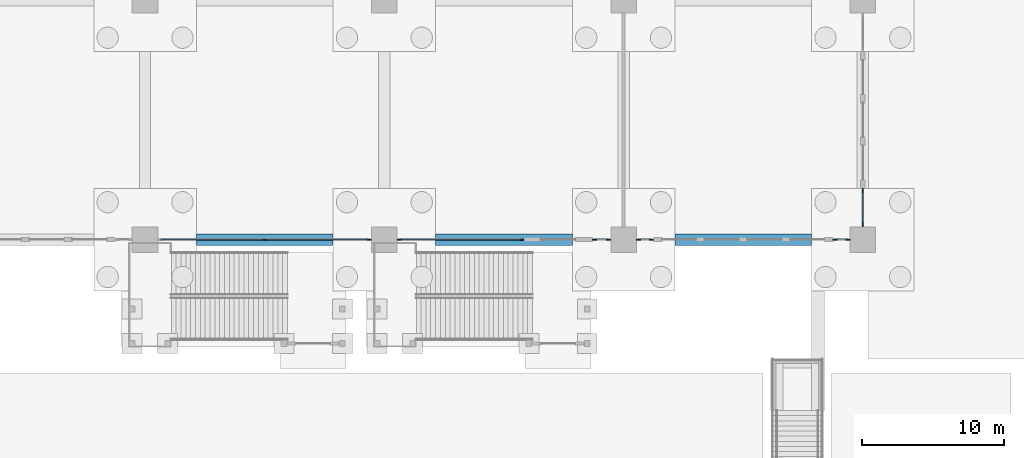
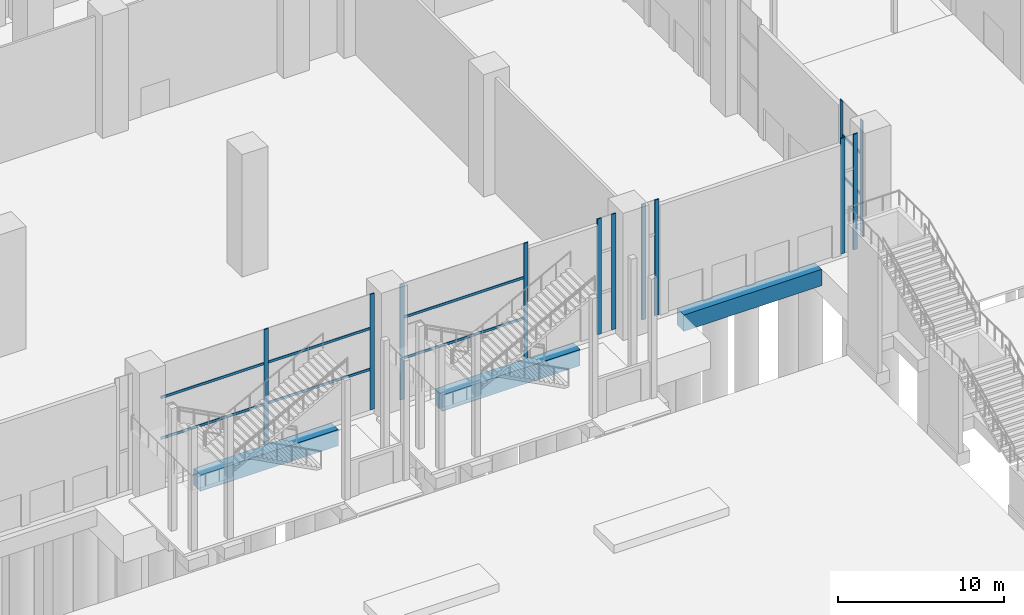
# One storey, part 15 of 72: 20 members, 3 beams, 6 elements without a shape of their own.
"""IFC4 building model written with IfcOpenShell, lengths in metres."""

from ifc_helpers import new_model, si_unit, direction, frame, origin, origin_2d, place, context, subcontext, project, spatial, rectangle, extrude, material, material_profile, profile_set, type_object, element, aggregate, save


model = new_model("IFC4")

# Units and contexts
model_context = context("Model", 3, precision=1e-05, world=origin(), true_north=direction((0.0, 1.0)))
body_context = subcontext(model_context, "Body", "Model", "MODEL_VIEW")
ifc_project = project(units=[si_unit("LENGTHUNIT", "METRE"), si_unit("AREAUNIT", "SQUARE_METRE"), si_unit("VOLUMEUNIT", "CUBIC_METRE"), si_unit("PLANEANGLEUNIT", "RADIAN"), si_unit("MASSUNIT", "GRAM", prefix="KILO")], contexts=[model_context])

# Site, building, storey
site_placement = place(None, origin())
site = spatial("IfcSite", under=ifc_project, at=site_placement, CompositionType="ELEMENT")
building_placement = place(site_placement, origin())
building = spatial("IfcBuilding", under=site, at=building_placement, Name="Candeia Pilgrim Tower and Theatre", CompositionType="ELEMENT")
storey_placement = place(building_placement, origin())
storey = spatial("IfcBuildingStorey", under=building, at=storey_placement, Name="L00", CompositionType="ELEMENT", Elevation=0.0)

# Curtain wall, members
ifc_material_1 = material(Name="Aluminium framed podium glazing", Category="aluminium")
curtain_wall_type = type_object("IfcCurtainWallType", Name="CW-P curtain wall", PredefinedType="NOTDEFINED", material=ifc_material_1)
curtain_wall_1_placement = place(storey_placement, origin())
curtain_wall_1 = element("IfcCurtainWall", 1, at=curtain_wall_1_placement, inside=storey, type_object=curtain_wall_type, Name="Curtain wall CW-P L00.261", PredefinedType="NOTDEFINED")
ifc_material_2 = material(Name="Anodised aluminium", Category="aluminium")
ifc_material_profile_1 = material_profile(ifc_material_2, rectangle(XDim=0.080078125, YDim=0.300048828125, at=origin_2d()))
ifc_profile_set_1 = profile_set([ifc_material_profile_1], Name="Anodised aluminium")
member_type_1 = type_object("IfcMemberType", Name="CW-P mullion 80x300", PredefinedType="MULLION", material=ifc_profile_set_1)
member_1_placement = place(storey_placement, frame((159.60009765625, 67.85009765625, 0.0), z_axis=(0.0, 0.0, 1.0), x_axis=(1.0, 0.0, 0.0)))
member_1 = element("IfcMember", 2, at=member_1_placement, type_object=member_type_1, Name="CW-P mullion 1", PredefinedType="MULLION", context=body_context, shape_type="SweptSolid", body=[
    extrude(rectangle(XDim=0.080078125, YDim=0.300048828125, at=origin_2d()), origin(), (0.0, 0.0, 1.0), 8.5),
])
member_2_placement = place(storey_placement, frame((159.60009765625, 65.449951171875, 0.0), z_axis=(0.0, 0.0, 1.0), x_axis=(1.0, 0.0, 0.0)))
member_2 = element("IfcMember", 3, at=member_2_placement, type_object=member_type_1, Name="CW-P mullion 2", PredefinedType="MULLION", context=body_context, shape_type="SweptSolid", body=[
    extrude(rectangle(XDim=0.080078125, YDim=0.300048828125, at=origin_2d()), origin(), (0.0, 0.0, 1.0), 8.5),
])

curtain_wall_2_placement = place(storey_placement, origin())
curtain_wall_2 = element("IfcCurtainWall", 4, at=curtain_wall_2_placement, inside=storey, type_object=curtain_wall_type, Name="Curtain wall CW-P L00.300", PredefinedType="NOTDEFINED")
member_3_placement = place(storey_placement, frame((158.550048828125, 64.39990234375, 0.0), z_axis=(0.0, 0.0, 1.0), x_axis=(0.0, -1.0, 0.0)))
member_3 = element("IfcMember", 5, at=member_3_placement, type_object=member_type_1, Name="CW-P mullion 1", PredefinedType="MULLION", context=body_context, shape_type="SweptSolid", body=[
    extrude(rectangle(XDim=0.080078125, YDim=0.300048828125, at=origin_2d()), origin(), (0.0, 0.0, 1.0), 8.5),
])
member_4_placement = place(storey_placement, frame((157.64990234375, 64.39990234375, 0.0), z_axis=(0.0, 0.0, 1.0), x_axis=(0.0, -1.0, 0.0)))
member_4 = element("IfcMember", 6, at=member_4_placement, type_object=member_type_1, Name="CW-P mullion 2", PredefinedType="MULLION", context=body_context, shape_type="SweptSolid", body=[
    extrude(rectangle(XDim=0.080078125, YDim=0.300048828125, at=origin_2d()), origin(), (0.0, 0.0, 1.0), 8.5),
])
aggregate(curtain_wall_2, [member_3, member_4])

curtain_wall_3_placement = place(storey_placement, origin())
curtain_wall_3 = element("IfcCurtainWall", 7, at=curtain_wall_3_placement, inside=storey, type_object=curtain_wall_type, Name="Curtain wall CW-P L00.301", PredefinedType="NOTDEFINED")
member_5_placement = place(storey_placement, frame((144.75, 64.39990234375, 0.0), z_axis=(0.0, 0.0, 1.0), x_axis=(0.0, -1.0, 0.0)))
member_5 = element("IfcMember", 8, at=member_5_placement, type_object=member_type_1, Name="CW-P mullion 1", PredefinedType="MULLION", context=body_context, shape_type="SweptSolid", body=[
    extrude(rectangle(XDim=0.080078125, YDim=0.300048828125, at=origin_2d()), origin(), (0.0, 0.0, 1.0), 8.5),
])
member_6_placement = place(storey_placement, frame((143.85009765625, 64.39990234375, 0.0), z_axis=(0.0, 0.0, 1.0), x_axis=(0.0, -1.0, 0.0)))
member_6 = element("IfcMember", 9, at=member_6_placement, type_object=member_type_1, Name="CW-P mullion 2", PredefinedType="MULLION", context=body_context, shape_type="SweptSolid", body=[
    extrude(rectangle(XDim=0.080078125, YDim=0.300048828125, at=origin_2d()), origin(), (0.0, 0.0, 1.0), 8.5),
])
aggregate(curtain_wall_3, [member_5, member_6])

curtain_wall_4_placement = place(storey_placement, origin())
curtain_wall_4 = element("IfcCurtainWall", 10, at=curtain_wall_4_placement, inside=storey, type_object=curtain_wall_type, Name="Curtain wall CW-P L00.310", PredefinedType="NOTDEFINED")
member_7_placement = place(storey_placement, frame((141.75, 64.39990234375, 0.0), z_axis=(0.0, 0.0, 1.0), x_axis=(0.0, -1.0, 0.0)))
member_7 = element("IfcMember", 11, at=member_7_placement, type_object=member_type_1, Name="CW-P mullion 1", PredefinedType="MULLION", context=body_context, shape_type="SweptSolid", body=[
    extrude(rectangle(XDim=0.080078125, YDim=0.300048828125, at=origin_2d()), origin(), (0.0, 0.0, 1.0), 8.5),
])
member_8_placement = place(storey_placement, frame((140.75, 64.39990234375, 0.0), z_axis=(0.0, 0.0, 1.0), x_axis=(0.0, -1.0, 0.0)))
member_8 = element("IfcMember", 12, at=member_8_placement, type_object=member_type_1, Name="CW-P mullion 2", PredefinedType="MULLION", context=body_context, shape_type="SweptSolid", body=[
    extrude(rectangle(XDim=0.080078125, YDim=0.300048828125, at=origin_2d()), origin(), (0.0, 0.0, 1.0), 8.5),
])
aggregate(curtain_wall_4, [member_7, member_8])

curtain_wall_5_placement = place(storey_placement, origin())
curtain_wall_5 = element("IfcCurtainWall", 13, at=curtain_wall_5_placement, inside=storey, type_object=curtain_wall_type, Name="Curtain wall CW-P L00.311", PredefinedType="NOTDEFINED")
member_9_placement = place(storey_placement, frame((135.64990234375, 64.39990234375, 0.0), z_axis=(0.0, 0.0, 1.0), x_axis=(0.0, -1.0, 0.0)))
member_9 = element("IfcMember", 14, at=member_9_placement, type_object=member_type_1, Name="CW-P mullion 1", PredefinedType="MULLION", context=body_context, shape_type="SweptSolid", body=[
    extrude(rectangle(XDim=0.080078125, YDim=0.300048828125, at=origin_2d()), origin(), (0.0, 0.0, 1.0), 8.5),
])
member_10_placement = place(storey_placement, frame((127.050048828125, 64.39990234375, 0.0), z_axis=(0.0, 0.0, 1.0), x_axis=(0.0, -1.0, 0.0)))
member_10 = element("IfcMember", 15, at=member_10_placement, type_object=member_type_1, Name="CW-P mullion 2", PredefinedType="MULLION", context=body_context, shape_type="SweptSolid", body=[
    extrude(rectangle(XDim=0.080078125, YDim=0.300048828125, at=origin_2d()), origin(), (0.0, 0.0, 1.0), 8.5),
])

curtain_wall_6_placement = place(storey_placement, origin())
curtain_wall_6 = element("IfcCurtainWall", 16, at=curtain_wall_6_placement, inside=storey, type_object=curtain_wall_type, Name="Curtain wall CW-P L00.320", PredefinedType="NOTDEFINED")
member_11_placement = place(storey_placement, frame((124.949951171875, 64.39990234375, 0.0), z_axis=(0.0, 0.0, 1.0), x_axis=(0.0, -1.0, 0.0)))
member_11 = element("IfcMember", 17, at=member_11_placement, type_object=member_type_1, Name="CW-P mullion 1", PredefinedType="MULLION", context=body_context, shape_type="SweptSolid", body=[
    extrude(rectangle(XDim=0.080078125, YDim=0.300048828125, at=origin_2d()), origin(), (0.0, 0.0, 1.0), 8.5),
])
member_12_placement = place(storey_placement, frame((117.60009765625, 64.39990234375, 0.0), z_axis=(0.0, 0.0, 1.0), x_axis=(0.0, -1.0, 0.0)))
member_12 = element("IfcMember", 18, at=member_12_placement, type_object=member_type_1, Name="CW-P mullion 2", PredefinedType="MULLION", context=body_context, shape_type="SweptSolid", body=[
    extrude(rectangle(XDim=0.080078125, YDim=0.300048828125, at=origin_2d()), origin(), (0.0, 0.0, 1.0), 8.5),
])

# Member
ifc_material_profile_2 = material_profile(ifc_material_2, rectangle(XDim=0.080078125, YDim=0.179931640625, at=origin_2d()))
ifc_profile_set_2 = profile_set([ifc_material_profile_2], Name="Anodised aluminium")
member_type_2 = type_object("IfcMemberType", Name="CW-P transom 80x180", PredefinedType="USERDEFINED", material=ifc_profile_set_2)
member_13_placement = place(storey_placement, frame((159.60009765625, 67.81005859375, 3.0), z_axis=(0.0, -1.0, 0.0), x_axis=(1.0, 0.0, 0.0)))
member_13 = element("IfcMember", 19, at=member_13_placement, type_object=member_type_2, Name="CW-P transom 1.1", ObjectType="TRANSOM", PredefinedType="USERDEFINED", context=body_context, shape_type="SweptSolid", body=[
    extrude(rectangle(XDim=0.080078125, YDim=0.179931640625, at=origin_2d()), origin(), (0.0, 0.0, 1.0), 2.320068359375),
])

member_14_placement = place(storey_placement, frame((159.60009765625, 67.81005859375, 6.0), z_axis=(0.0, -1.0, 0.0), x_axis=(1.0, 0.0, 0.0)))
member_14 = element("IfcMember", 20, at=member_14_placement, type_object=member_type_2, Name="CW-P transom 1.2", ObjectType="TRANSOM", PredefinedType="USERDEFINED", context=body_context, shape_type="SweptSolid", body=[
    extrude(rectangle(XDim=0.080078125, YDim=0.179931640625, at=origin_2d()), origin(), (0.0, 0.0, 1.0), 2.320068359375),
])

aggregate(curtain_wall_1, [member_1, member_2, member_13, member_14])

member_15_placement = place(storey_placement, frame((135.610107421875, 64.39990234375, 3.0), z_axis=(-1.0, 0.0, 0.0), x_axis=(0.0, -1.0, 0.0)))
member_15 = element("IfcMember", 21, at=member_15_placement, type_object=member_type_2, Name="CW-P transom 1.1", ObjectType="TRANSOM", PredefinedType="USERDEFINED", context=body_context, shape_type="SweptSolid", body=[
    extrude(rectangle(XDim=0.080078125, YDim=0.179931640625, at=origin_2d()), origin(), (0.0, 0.0, 1.0), 8.52001953125),
])

member_16_placement = place(storey_placement, frame((135.610107421875, 64.39990234375, 6.0), z_axis=(-1.0, 0.0, 0.0), x_axis=(0.0, -1.0, 0.0)))
member_16 = element("IfcMember", 22, at=member_16_placement, type_object=member_type_2, Name="CW-P transom 1.2", ObjectType="TRANSOM", PredefinedType="USERDEFINED", context=body_context, shape_type="SweptSolid", body=[
    extrude(rectangle(XDim=0.080078125, YDim=0.179931640625, at=origin_2d()), origin(), (0.0, 0.0, 1.0), 8.52001953125),
])

aggregate(curtain_wall_5, [member_9, member_10, member_15, member_16])

member_17_placement = place(storey_placement, frame((124.909912109375, 64.39990234375, 3.0), z_axis=(-1.0, 0.0, 0.0), x_axis=(0.0, -1.0, 0.0)))
member_17 = element("IfcMember", 23, at=member_17_placement, type_object=member_type_2, Name="CW-P transom 1.1", ObjectType="TRANSOM", PredefinedType="USERDEFINED", context=body_context, shape_type="SweptSolid", body=[
    extrude(rectangle(XDim=0.080078125, YDim=0.179931640625, at=origin_2d()), origin(), (0.0, 0.0, 1.0), 7.27001953125),
])

member_18_placement = place(storey_placement, frame((124.909912109375, 64.39990234375, 6.0), z_axis=(-1.0, 0.0, 0.0), x_axis=(0.0, -1.0, 0.0)))
member_18 = element("IfcMember", 24, at=member_18_placement, type_object=member_type_2, Name="CW-P transom 1.2", ObjectType="TRANSOM", PredefinedType="USERDEFINED", context=body_context, shape_type="SweptSolid", body=[
    extrude(rectangle(XDim=0.080078125, YDim=0.179931640625, at=origin_2d()), origin(), (0.0, 0.0, 1.0), 7.27001953125),
])

member_19_placement = place(storey_placement, frame((117.56005859375, 64.39990234375, 3.0), z_axis=(-1.0, 0.0, 0.0), x_axis=(0.0, -1.0, 0.0)))
member_19 = element("IfcMember", 25, at=member_19_placement, type_object=member_type_2, Name="CW-P transom 2.1", ObjectType="TRANSOM", PredefinedType="USERDEFINED", context=body_context, shape_type="SweptSolid", body=[
    extrude(rectangle(XDim=0.080078125, YDim=0.179931640625, at=origin_2d()), origin(), (0.0, 0.0, 1.0), 7.27001953125),
])

member_20_placement = place(storey_placement, frame((117.56005859375, 64.39990234375, 6.0), z_axis=(-1.0, 0.0, 0.0), x_axis=(0.0, -1.0, 0.0)))
member_20 = element("IfcMember", 26, at=member_20_placement, type_object=member_type_2, Name="CW-P transom 2.2", ObjectType="TRANSOM", PredefinedType="USERDEFINED", context=body_context, shape_type="SweptSolid", body=[
    extrude(rectangle(XDim=0.080078125, YDim=0.179931640625, at=origin_2d()), origin(), (0.0, 0.0, 1.0), 7.27001953125),
])

aggregate(curtain_wall_6, [member_11, member_12, member_17, member_18, member_19, member_20])

# Beams
ifc_material_3 = material(Name="Concrete C40/50", Category="concrete")
ifc_material_profile_3 = material_profile(ifc_material_3, rectangle(XDim=0.800048828125, YDim=1.199951171875, at=origin_2d()))
ifc_profile_set_3 = profile_set([ifc_material_profile_3], Name="Concrete C40/50")
beam_type = type_object("IfcBeamType", Name="RC 800x1200 C40/50", PredefinedType="BEAM", material=ifc_profile_set_3)
for number, where, z_axis, x_axis, name in (
    (27, (112.800048828125, 64.39990234375, -0.949951171875), (1.0, 0.0, 0.0), (0.0, 1.0, 0.0), "Ground beam 008"),
    (28, (129.60009765625, 64.39990234375, -0.949951171875), (1.0, 0.0, 0.0), (0.0, 1.0, 0.0), "Ground beam 011"),
):
    element("IfcBeam", number, at=place(storey_placement, frame(where, z_axis=z_axis, x_axis=x_axis)), inside=storey, type_object=beam_type, Name=name, PredefinedType="BEAM", context=body_context, shape_type="SweptSolid", body=[
        extrude(rectangle(XDim=0.800048828125, YDim=1.199951171875, at=origin_2d()), origin(), (0.0, 0.0, 1.0), 9.599853515625),
    ])
beam_placement = place(storey_placement, frame((146.39990234375, 64.39990234375, -0.949951171875), z_axis=(1.0, 0.0, 0.0), x_axis=(0.0, 1.0, 0.0)))
element("IfcBeam", 29, at=beam_placement, inside=storey, type_object=beam_type, Name="Ground beam 014", PredefinedType="BEAM", context=body_context, shape_type="SweptSolid", body=[
    extrude(rectangle(XDim=0.800048828125, YDim=1.199951171875, at=origin_2d()), origin(), (0.0, 0.0, 1.0), 9.60009765625),
])

save(model, "model.ifc")
